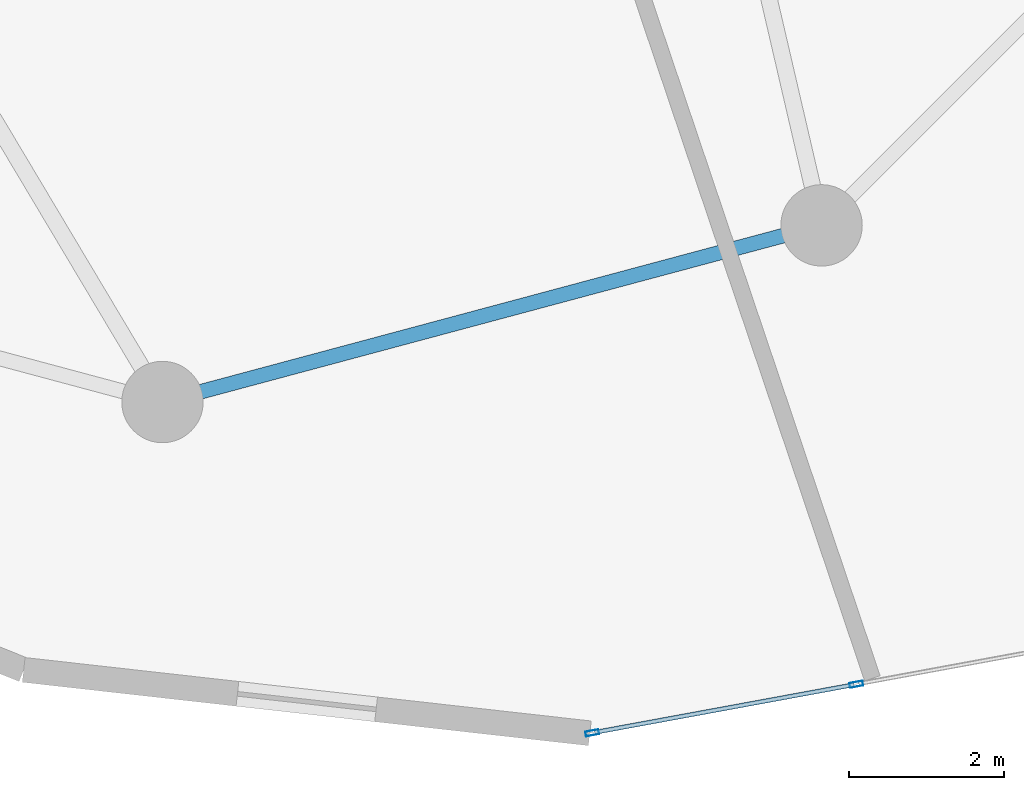
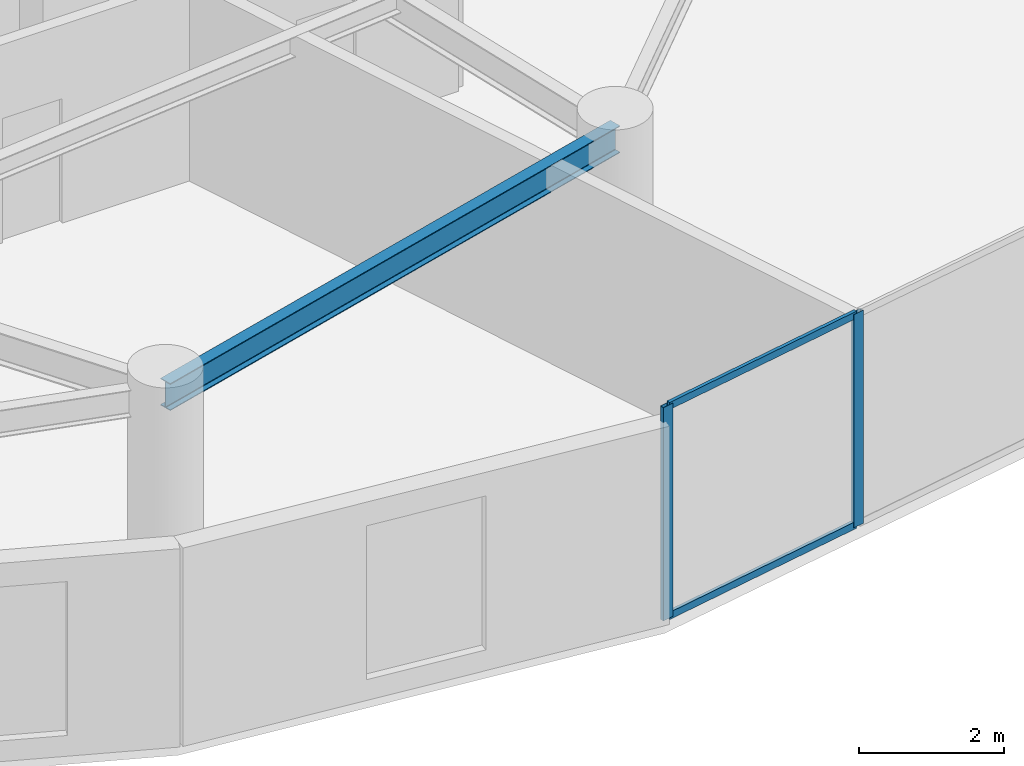
# One storey, part 4 of 23: 4 members, 1 beam, 1 element without a shape of its own.
"""IFC4 building model written with IfcOpenShell, lengths in metres."""

from ifc_helpers import new_model, si_unit, direction, frame, origin, origin_2d, place, context, subcontext, project, spatial, hollow_rectangle, i_section, extrude, source, transform, mapped, material, layer, layer_set, material_profile, profile_set, type_object, element, aggregate, save


model = new_model("IFC4")

# Units and contexts
model_context = context("Model", 3, precision=1e-05, world=origin(), true_north=direction((0.0, 1.0)))
body_context = subcontext(model_context, "Body", "Model", "MODEL_VIEW")
ifc_project = project(units=[si_unit("LENGTHUNIT", "METRE"), si_unit("AREAUNIT", "SQUARE_METRE"), si_unit("VOLUMEUNIT", "CUBIC_METRE"), si_unit("PLANEANGLEUNIT", "RADIAN"), si_unit("MASSUNIT", "GRAM", prefix="KILO")], contexts=[model_context])

# Site, building, storey
site_placement = place(None, origin())
site = spatial("IfcSite", under=ifc_project, at=site_placement, CompositionType="ELEMENT")
building_placement = place(site_placement, origin())
building = spatial("IfcBuilding", under=site, at=building_placement, Name="Solvirekh Grand Hotel", CompositionType="ELEMENT")
storey_placement = place(building_placement, frame((0.0, 0.0, 109.800048828125)))
storey = spatial("IfcBuildingStorey", under=building, at=storey_placement, Name="L27", CompositionType="ELEMENT", Elevation=109.800048828125)

# Beam
ifc_material_1 = material(Name="Steel S355", Category="steel")
ifc_material_profile_1 = material_profile(ifc_material_1, i_section(OverallWidth=0.18994140625, OverallDepth=0.45703125, WebThickness=0.009033203125, FlangeThickness=0.013916015625, FilletRadius=0.012939453125, at=origin_2d()), Name="W460X74")
ifc_profile_set_1 = profile_set([ifc_material_profile_1], Name="Steel S355")
beam_type = type_object("IfcBeamType", Name="Spandrel_Ring_W460", PredefinedType="SPANDREL", material=ifc_profile_set_1)
beam_placement = place(storey_placement, frame((0.0, -17.0, 3.1220703125), z_axis=(0.965911391906, 0.258872908946, 0.0), x_axis=(-0.258872908946, 0.965911391906, 0.0)))
element("IfcBeam", 1, at=beam_placement, inside=storey, type_object=beam_type, Name="L27 perimeter spandrel beam 10", PredefinedType="SPANDREL", context=body_context, shape_type="SweptSolid", body=[
    extrude(i_section(OverallWidth=0.18994140625, OverallDepth=0.45703125, WebThickness=0.009033203125, FlangeThickness=0.013916015625, FilletRadius=0.012939453125, at=origin_2d()), origin(), (0.0, 0.0, 1.0), 8.800048828125),
])

# Curtain wall, members
ifc_material_2 = material(Name="Anodized Bronze Aluminium 6063-T6", Category="aluminium")
ifc_layer = layer(ifc_material_2, 0.175048828125)
ifc_layer_set = layer_set([ifc_layer], Name="Anodized Bronze Aluminium 6063-T6")
curtain_wall_type = type_object("IfcCurtainWallType", Name="CW_Sys3_MidZoneFlushBronzeCW", PredefinedType="NOTDEFINED", material=ifc_layer_set)
curtain_wall_placement = place(storey_placement, origin())
curtain_wall = element("IfcCurtainWall", 2, at=curtain_wall_placement, inside=storey, type_object=curtain_wall_type, Name="L27 unitised bronze-glass curtain wall CW-L27-C18", PredefinedType="NOTDEFINED")
ifc_material_profile_2 = material_profile(ifc_material_2, hollow_rectangle(XDim=0.06494140625, YDim=0.175048828125, WallThickness=0.0048828125, at=origin_2d()), Name="ALU RHS 175X65X5")
ifc_profile_set_2 = profile_set([ifc_material_profile_2], Name="Anodized Bronze Aluminium 6063-T6")
member_type_1 = type_object("IfcMemberType", Name="CWMullion_Sys3", PredefinedType="MULLION", material=ifc_profile_set_2)
shared_shape_1 = source(origin(), body_context, "Body", "SweptSolid", [
    extrude(hollow_rectangle(XDim=0.06494140625, YDim=0.175048828125, WallThickness=0.0048828125, at=origin_2d()), origin(), (0.0, 0.0, 1.0), 3.599853515625),
])
member_1_placement = place(storey_placement, frame((5.54296875, -21.26708984375, 0.0), z_axis=(0.0, 0.0, 1.0), x_axis=(-0.180987633873, 0.983485371719, 0.0)))
member_1 = element("IfcMember", 3, at=member_1_placement, type_object=member_type_1, Name="U03 mullion 1", PredefinedType="MULLION", context=body_context, shape_type="MappedRepresentation", body=[
    mapped(shared_shape_1, transform((0.0, 0.0, 0.0), x_axis=(1.0, 0.0, 0.0), y_axis=(0.0, 1.0, 0.0), z_axis=(0.0, 0.0, 1.0), scale=1.0)),
])
member_2_placement = place(storey_placement, frame((8.947998046875, -20.640380859375, 0.0), z_axis=(0.0, 0.0, 1.0), x_axis=(-0.180987633873, 0.983485371719, 0.0)))
member_2 = element("IfcMember", 4, at=member_2_placement, type_object=member_type_1, Name="U03 mullion 2", PredefinedType="MULLION", context=body_context, shape_type="MappedRepresentation", body=[
    mapped(shared_shape_1, transform((0.0, 0.0, 0.0), x_axis=(1.0, 0.0, 0.0), y_axis=(0.0, 1.0, 0.0), z_axis=(0.0, 0.0, 1.0), scale=1.0)),
])
ifc_material_profile_3 = material_profile(ifc_material_2, hollow_rectangle(XDim=0.054931640625, YDim=0.1201171875, WallThickness=0.00390625, at=origin_2d()), Name="ALU RHS 120X55X4")
ifc_profile_set_3 = profile_set([ifc_material_profile_3], Name="Anodized Bronze Aluminium 6063-T6")
member_type_2 = type_object("IfcMemberType", Name="CWTransom_Sys3", PredefinedType="USERDEFINED", material=ifc_profile_set_3)
shared_shape_2 = source(origin(), body_context, "Body", "SweptSolid", [
    extrude(hollow_rectangle(XDim=0.054931640625, YDim=0.1201171875, WallThickness=0.00390625, at=origin_2d()), origin(), (0.0, 0.0, 1.0), 3.397216796875),
])
member_3_placement = place(storey_placement, frame((5.574951171875, -21.26123046875, 0.02734375), z_axis=(0.983490568923, 0.180959390029, 0.0), x_axis=(-0.180959390029, 0.983490568923, 0.0)))
member_3 = element("IfcMember", 5, at=member_3_placement, type_object=member_type_2, Name="U03 transom 1.1", ObjectType="TRANSOM", PredefinedType="USERDEFINED", context=body_context, shape_type="MappedRepresentation", body=[
    mapped(shared_shape_2, transform((0.0, 0.0, 0.0), x_axis=(1.0, 0.0, 0.0), y_axis=(0.0, 1.0, 0.0), z_axis=(0.0, 0.0, 1.0), scale=1.0)),
])
member_4_placement = place(storey_placement, frame((5.574951171875, -21.26123046875, 3.572509765625), z_axis=(0.983490568923, 0.180959390029, 0.0), x_axis=(-0.180959390029, 0.983490568923, 0.0)))
member_4 = element("IfcMember", 6, at=member_4_placement, type_object=member_type_2, Name="U03 transom 1.2", ObjectType="TRANSOM", PredefinedType="USERDEFINED", context=body_context, shape_type="MappedRepresentation", body=[
    mapped(shared_shape_2, transform((0.0, 0.0, 0.0), x_axis=(1.0, 0.0, 0.0), y_axis=(0.0, 1.0, 0.0), z_axis=(0.0, 0.0, 1.0), scale=1.0)),
])
aggregate(curtain_wall, [member_1, member_2, member_3, member_4])

save(model, "model.ifc")
